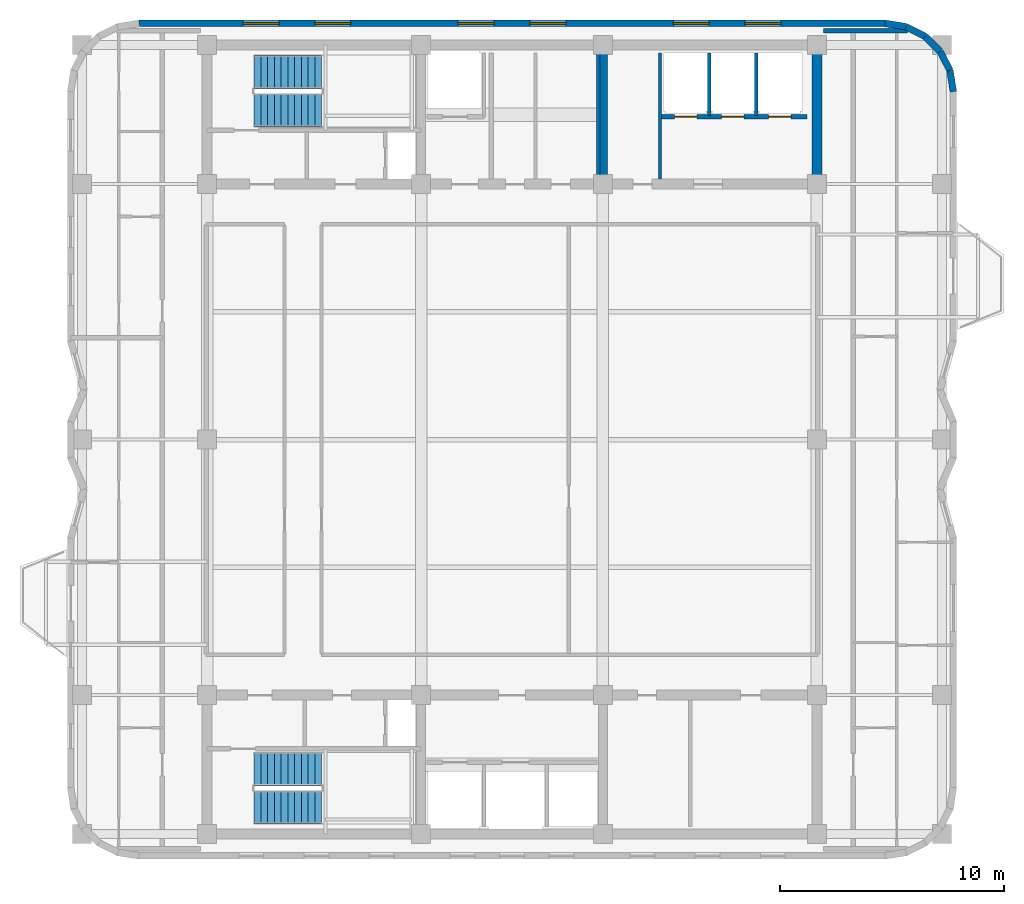
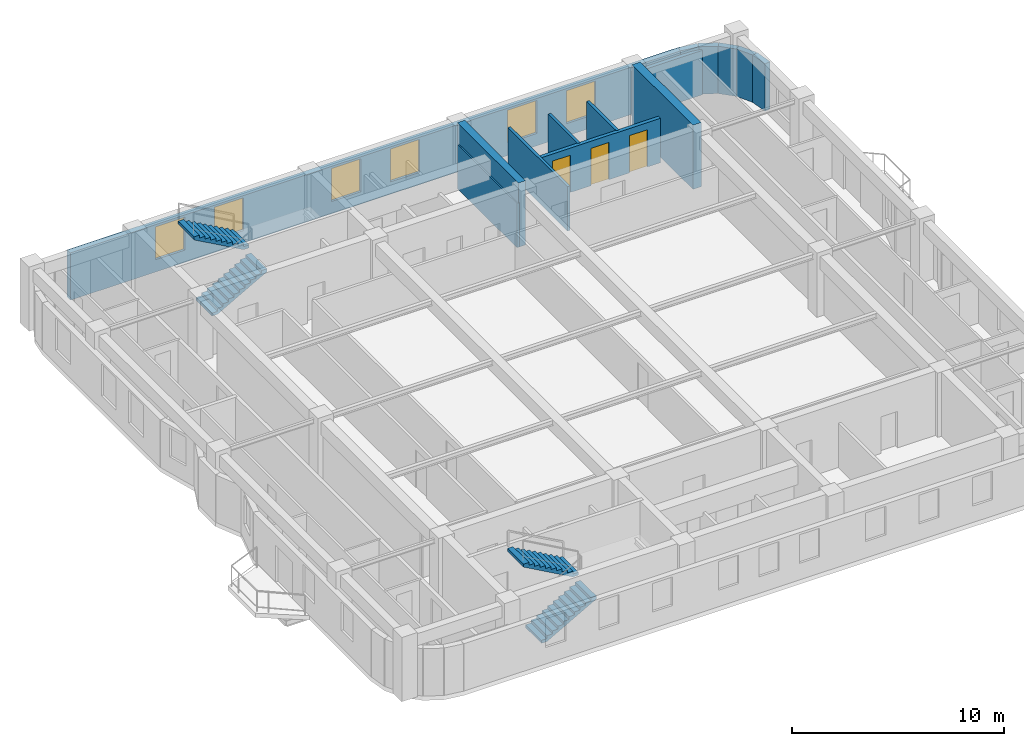
# One storey, part 6 of 8: 14 walls, 6 windows, 4 stair flights, 3 doors, 9 openings, 2 elements without a shape of their own.
"""IFC4 building model written with IfcOpenShell, lengths in metres."""

from ifc_helpers import new_model, si_unit, direction, frame, frame_2d, origin, place, context, subcontext, project, spatial, polyline, rectangle, outline, extrude, material, layer, layer_set, type_object, element, fill, aggregate, save


model = new_model("IFC4")

# Units and contexts
model_context = context("Model", 3, precision=1e-05, world=origin(), true_north=direction((0.0, 1.0)))
body_context = subcontext(model_context, "Body", "Model", "MODEL_VIEW")
ifc_project = project(units=[si_unit("LENGTHUNIT", "METRE"), si_unit("AREAUNIT", "SQUARE_METRE"), si_unit("VOLUMEUNIT", "CUBIC_METRE"), si_unit("PLANEANGLEUNIT", "RADIAN"), si_unit("MASSUNIT", "GRAM", prefix="KILO")], contexts=[model_context])

# Site, building, storey
site_placement = place(None, origin())
site = spatial("IfcSite", under=ifc_project, at=site_placement, CompositionType="ELEMENT")
building_placement = place(site_placement, origin())
building = spatial("IfcBuilding", under=site, at=building_placement, Name="Svetorya Sky Lyceum", CompositionType="ELEMENT")
storey_placement = place(building_placement, frame((0.0, 0.0, 251.699951171875)))
storey = spatial("IfcBuildingStorey", under=building, at=storey_placement, Name="L63", CompositionType="ELEMENT", Elevation=251.699951171875)

# Walls
ifc_material_1 = material(Name="Concrete C40/50", Category="concrete")
ifc_layer_1 = layer(ifc_material_1, 0.39990234375)
ifc_layer_set_1 = layer_set([ifc_layer_1], Name="Concrete C40/50")
wall_type_1 = type_object("IfcWallType", Name="WL-CORE-400", PredefinedType="SHEAR", material=ifc_layer_set_1)
wall_1_placement = place(storey_placement, frame((43.25, 39.824951171875, 0.0), z_axis=(0.0, 0.0, 1.0), x_axis=(0.0, 1.0, 0.0)))
element("IfcWall", 1, at=wall_1_placement, inside=storey, type_object=wall_type_1, Name="L63 NC Internal Shear Web WEB2", PredefinedType="SHEAR", context=body_context, shape_type="SweptSolid", body=[
    extrude(rectangle(XDim=5.75, YDim=0.39990234375, at=frame_2d((2.875, 0.0))), origin(), (0.0, 0.0, 1.0), 3.699951171875),
])
ifc_material_2 = material(Name="Concrete C50/60", Category="concrete")
ifc_layer_2 = layer(ifc_material_2, 0.449951171875)
ifc_layer_set_2 = layer_set([ifc_layer_2], Name="Concrete C50/60")
wall_type_2 = type_object("IfcWallType", Name="WL-CORE-450", PredefinedType="SHEAR", material=ifc_layer_set_2)
wall_2_placement = place(storey_placement, frame((52.800048828125, 39.824951171875, 0.0), z_axis=(0.0, 0.0, 1.0), x_axis=(0.0, 1.0, 0.0)))
element("IfcWall", 2, at=wall_2_placement, inside=storey, type_object=wall_type_2, Name="L63 NC East Core Shear Wall", PredefinedType="SHEAR", context=body_context, shape_type="SweptSolid", body=[
    extrude(rectangle(XDim=5.75, YDim=0.449951171875, at=frame_2d((2.875, 0.0))), origin(), (0.0, 0.0, 1.0), 3.699951171875),
])
ifc_material_3 = material(Name="Putilovo limestone rainscreen on autoclaved cellular masonry", Category="masonry")
ifc_layer_3 = layer(ifc_material_3, 0.300048828125)
ifc_layer_set_3 = layer_set([ifc_layer_3], Name="Putilovo limestone rainscreen on autoclaved cellular masonry")
wall_type_3 = type_object("IfcWallType", Name="WL-EXT-300", PredefinedType="SOLIDWALL", material=ifc_layer_set_3)
wall_3_placement = place(storey_placement, frame((58.889892578125, 43.719970703125, 0.0), z_axis=(0.0, 0.0, 1.0), x_axis=(-0.156304114255, 0.987708977314, 0.0)))
element("IfcWall", 3, at=wall_3_placement, inside=storey, type_object=wall_type_3, Name="L63 Limestone Exterior Wall 19M", PredefinedType="SOLIDWALL", context=body_context, shape_type="SweptSolid", body=[
    extrude(rectangle(XDim=0.954345703125, YDim=0.300048828125, at=frame_2d((0.47705078125, 0.0))), origin(), (0.0, 0.0, 1.0), 2.72998046875),
])
wall_4_placement = place(storey_placement, frame((58.74072265625, 44.66259765625, 0.0), z_axis=(0.0, 0.0, 1.0), x_axis=(-0.45395644796, 0.891023873617, 0.0)))
element("IfcWall", 4, at=wall_4_placement, inside=storey, type_object=wall_type_3, Name="L63 Limestone Exterior Wall 20M", PredefinedType="SOLIDWALL", context=body_context, shape_type="SweptSolid", body=[
    extrude(rectangle(XDim=0.9541015625, YDim=0.300048828125, at=frame_2d((0.47705078125, 0.0))), origin(), (0.0, 0.0, 1.0), 2.72998046875),
])
for number, where, z_axis, x_axis, name in (
    (5, (58.3076171875, 45.5126953125, 0.0), (0.0, 0.0, 1.0), (-0.707106781187, 0.707106781187, 0.0), "L63 Limestone Exterior Wall 21M"),
    (6, (57.6328125, 46.1875, 0.0), (0.0, 0.0, 1.0), (-0.891076589373, 0.453852962833, 0.0), "L63 Limestone Exterior Wall 22M"),
):
    element("IfcWall", number, at=place(storey_placement, frame(where, z_axis=z_axis, x_axis=x_axis)), inside=storey, type_object=wall_type_3, Name=name, PredefinedType="SOLIDWALL", context=body_context, shape_type="SweptSolid", body=[
        extrude(rectangle(XDim=0.954345703125, YDim=0.300048828125, at=frame_2d((0.47705078125, 0.0))), origin(), (0.0, 0.0, 1.0), 2.72998046875),
    ])
wall_5_placement = place(storey_placement, frame((56.782470703125, 46.62060546875, 0.0), z_axis=(0.0, 0.0, 1.0), x_axis=(-0.987663181641, 0.156593229835, 0.0)))
element("IfcWall", 7, at=wall_5_placement, inside=storey, type_object=wall_type_3, Name="L63 Limestone Exterior Wall 23M", PredefinedType="SOLIDWALL", context=body_context, shape_type="SweptSolid", body=[
    extrude(rectangle(XDim=0.9541015625, YDim=0.300048828125, at=frame_2d((0.47705078125, 0.0))), origin(), (0.0, 0.0, 1.0), 2.72998046875),
])

# Wall, openings, windows
wall_6_placement = place(storey_placement, frame((55.840087890625, 46.77001953125, 0.0), z_axis=(0.0, 0.0, 1.0), x_axis=(-1.0, 0.0, 0.0)))
wall_6 = element("IfcWall", 8, at=wall_6_placement, inside=storey, type_object=wall_type_3, Name="L63 Limestone Exterior Wall 24M", PredefinedType="SOLIDWALL", context=body_context, shape_type="SweptSolid", body=[
    extrude(rectangle(XDim=33.280029296875, YDim=0.300048828125, at=frame_2d((16.64013671875, 0.0))), origin(), (0.0, 0.0, 1.0), 2.72998046875),
])
opening_1_placement = place(wall_6_placement, frame((4.64697265625, 0.0, 0.7099609375)))
opening_1 = element("IfcOpeningElement", 9, at=opening_1_placement, cuts=wall_6, Name="Opening W-R4", PredefinedType="OPENING", context=body_context, shape_type="SweptSolid", body=[
    extrude(rectangle(XDim=1.60009765625, YDim=1.89990234375, at=frame_2d((0.800048828125, 0.949951171875))), frame((0.0, 0.159912109375, 0.0), z_axis=(0.0, -1.0, 0.0), x_axis=(1.0, 0.0, 0.0)), (0.0, 0.0, 1.0), 0.320068359375),
])
opening_2_placement = place(wall_6_placement, frame((7.844970703125, 0.0, 0.7099609375)))
opening_2 = element("IfcOpeningElement", 10, at=opening_2_placement, cuts=wall_6, Name="Opening W-R4", PredefinedType="OPENING", context=body_context, shape_type="SweptSolid", body=[
    extrude(rectangle(XDim=1.60009765625, YDim=1.89990234375, at=frame_2d((0.800048828125, 0.949951171875))), frame((0.0, 0.159912109375, 0.0), z_axis=(0.0, -1.0, 0.0), x_axis=(1.0, 0.0, 0.0)), (0.0, 0.0, 1.0), 0.320068359375),
])
opening_3_placement = place(wall_6_placement, frame((14.240966796875, 0.0, 0.7099609375)))
opening_3 = element("IfcOpeningElement", 11, at=opening_3_placement, cuts=wall_6, Name="Opening W-R4", PredefinedType="OPENING", context=body_context, shape_type="SweptSolid", body=[
    extrude(rectangle(XDim=1.60009765625, YDim=1.89990234375, at=frame_2d((0.800048828125, 0.949951171875))), frame((0.0, 0.159912109375, 0.0), z_axis=(0.0, -1.0, 0.0), x_axis=(1.0, 0.0, 0.0)), (0.0, 0.0, 1.0), 0.320068359375),
])
opening_4_placement = place(wall_6_placement, frame((17.43896484375, 0.0, 0.7099609375)))
opening_4 = element("IfcOpeningElement", 12, at=opening_4_placement, cuts=wall_6, Name="Opening W-R4", PredefinedType="OPENING", context=body_context, shape_type="SweptSolid", body=[
    extrude(rectangle(XDim=1.60009765625, YDim=1.89990234375, at=frame_2d((0.800048828125, 0.949951171875))), frame((0.0, 0.159912109375, 0.0), z_axis=(0.0, -1.0, 0.0), x_axis=(1.0, 0.0, 0.0)), (0.0, 0.0, 1.0), 0.320068359375),
])
opening_5_placement = place(wall_6_placement, frame((23.8349609375, 0.0, 0.7099609375)))
opening_5 = element("IfcOpeningElement", 13, at=opening_5_placement, cuts=wall_6, Name="Opening W-R4", PredefinedType="OPENING", context=body_context, shape_type="SweptSolid", body=[
    extrude(rectangle(XDim=1.60009765625, YDim=1.89990234375, at=frame_2d((0.800048828125, 0.949951171875))), frame((0.0, 0.159912109375, 0.0), z_axis=(0.0, -1.0, 0.0), x_axis=(1.0, 0.0, 0.0)), (0.0, 0.0, 1.0), 0.320068359375),
])
opening_6_placement = place(wall_6_placement, frame((27.032958984375, 0.0, 0.7099609375)))
opening_6 = element("IfcOpeningElement", 14, at=opening_6_placement, cuts=wall_6, Name="Opening W-R4", PredefinedType="OPENING", context=body_context, shape_type="SweptSolid", body=[
    extrude(rectangle(XDim=1.60009765625, YDim=1.89990234375, at=frame_2d((0.800048828125, 0.949951171875))), frame((0.0, 0.159912109375, 0.0), z_axis=(0.0, -1.0, 0.0), x_axis=(1.0, 0.0, 0.0)), (0.0, 0.0, 1.0), 0.320068359375),
])
ifc_material_4 = material(Name="Thermally broken aluminium frame with triple low-E glazing", Category="aluminium")
window_type = type_object("IfcWindowType", Name="WN-RES-160", PartitioningType="DOUBLE_PANEL_VERTICAL", PredefinedType="WINDOW", material=ifc_material_4)
window_1_placement = place(opening_1_placement, origin())
window_1 = element("IfcWindow", 15, at=window_1_placement, inside=storey, type_object=window_type, Name="L63 Facade Window W-R4.24M.1", OverallHeight=1.89990234375, OverallWidth=1.60009765625, PartitioningType="SINGLE_PANEL", PredefinedType="WINDOW", context=body_context, shape_type="SweptSolid", body=[
    extrude(rectangle(XDim=1.60009765625, YDim=1.89990234375, at=frame_2d((0.800048828125, 0.949951171875))), frame((0.0, 0.030029296875, 0.0), z_axis=(0.0, -1.0, 0.0), x_axis=(1.0, 0.0, 0.0)), (0.0, 0.0, 1.0), 0.06005859375),
])
fill(opening_1, window_1)
window_2_placement = place(opening_2_placement, origin())
window_2 = element("IfcWindow", 16, at=window_2_placement, inside=storey, type_object=window_type, Name="L63 Facade Window W-R4.24M.2", OverallHeight=1.89990234375, OverallWidth=1.60009765625, PartitioningType="SINGLE_PANEL", PredefinedType="WINDOW", context=body_context, shape_type="SweptSolid", body=[
    extrude(rectangle(XDim=1.60009765625, YDim=1.89990234375, at=frame_2d((0.800048828125, 0.949951171875))), frame((0.0, 0.030029296875, 0.0), z_axis=(0.0, -1.0, 0.0), x_axis=(1.0, 0.0, 0.0)), (0.0, 0.0, 1.0), 0.06005859375),
])
fill(opening_2, window_2)
window_3_placement = place(opening_3_placement, origin())
window_3 = element("IfcWindow", 17, at=window_3_placement, inside=storey, type_object=window_type, Name="L63 Facade Window W-R4.24M.3", OverallHeight=1.89990234375, OverallWidth=1.60009765625, PartitioningType="SINGLE_PANEL", PredefinedType="WINDOW", context=body_context, shape_type="SweptSolid", body=[
    extrude(rectangle(XDim=1.60009765625, YDim=1.89990234375, at=frame_2d((0.800048828125, 0.949951171875))), frame((0.0, 0.030029296875, 0.0), z_axis=(0.0, -1.0, 0.0), x_axis=(1.0, 0.0, 0.0)), (0.0, 0.0, 1.0), 0.06005859375),
])
fill(opening_3, window_3)
window_4_placement = place(opening_4_placement, origin())
window_4 = element("IfcWindow", 18, at=window_4_placement, inside=storey, type_object=window_type, Name="L63 Facade Window W-R4.24M.4", OverallHeight=1.89990234375, OverallWidth=1.60009765625, PartitioningType="SINGLE_PANEL", PredefinedType="WINDOW", context=body_context, shape_type="SweptSolid", body=[
    extrude(rectangle(XDim=1.60009765625, YDim=1.89990234375, at=frame_2d((0.800048828125, 0.949951171875))), frame((0.0, 0.030029296875, 0.0), z_axis=(0.0, -1.0, 0.0), x_axis=(1.0, 0.0, 0.0)), (0.0, 0.0, 1.0), 0.06005859375),
])
fill(opening_4, window_4)
window_5_placement = place(opening_5_placement, origin())
window_5 = element("IfcWindow", 19, at=window_5_placement, inside=storey, type_object=window_type, Name="L63 Facade Window W-R4.24M.5", OverallHeight=1.89990234375, OverallWidth=1.60009765625, PartitioningType="SINGLE_PANEL", PredefinedType="WINDOW", context=body_context, shape_type="SweptSolid", body=[
    extrude(rectangle(XDim=1.60009765625, YDim=1.89990234375, at=frame_2d((0.800048828125, 0.949951171875))), frame((0.0, 0.030029296875, 0.0), z_axis=(0.0, -1.0, 0.0), x_axis=(1.0, 0.0, 0.0)), (0.0, 0.0, 1.0), 0.06005859375),
])
fill(opening_5, window_5)
window_6_placement = place(opening_6_placement, origin())
window_6 = element("IfcWindow", 20, at=window_6_placement, inside=storey, type_object=window_type, Name="L63 Facade Window W-R4.24M.6", OverallHeight=1.89990234375, OverallWidth=1.60009765625, PartitioningType="SINGLE_PANEL", PredefinedType="WINDOW", context=body_context, shape_type="SweptSolid", body=[
    extrude(rectangle(XDim=1.60009765625, YDim=1.89990234375, at=frame_2d((0.800048828125, 0.949951171875))), frame((0.0, 0.030029296875, 0.0), z_axis=(0.0, -1.0, 0.0), x_axis=(1.0, 0.0, 0.0)), (0.0, 0.0, 1.0), 0.06005859375),
])
fill(opening_6, window_6)

# Walls
ifc_material_5 = material(Name="Autoclaved cellular masonry blockwork with acoustic render", Category="masonry")
ifc_layer_4 = layer(ifc_material_5, 0.14990234375)
ifc_layer_set_4 = layer_set([ifc_layer_4], Name="Autoclaved cellular masonry blockwork with acoustic render")
wall_type_4 = type_object("IfcWallType", Name="WL-PART-150", PredefinedType="PARTITIONING", material=ifc_layer_set_4)
for number, where, z_axis, x_axis, name in (
    (21, (43.050048828125, 39.820068359375, 0.0), (0.0, 0.0, 1.0), (0.0, 1.0, 0.0), "L63 Interior Partition NC-FPM-END"),
    (22, (45.800048828125, 39.820068359375, 0.0), (0.0, 0.0, 1.0), (0.0, 1.0, 0.0), "L63 Interior Partition NC-PM3-FULL"),
):
    element("IfcWall", number, at=place(storey_placement, frame(where, z_axis=z_axis, x_axis=x_axis)), inside=storey, type_object=wall_type_4, Name=name, PredefinedType="PARTITIONING", context=body_context, shape_type="SweptSolid", body=[
        extrude(rectangle(XDim=5.6298828125, YDim=0.14990234375, at=frame_2d((2.81494140625, 0.0))), origin(), (0.0, 0.0, 1.0), 2.56005859375),
    ])
for number, where, z_axis, x_axis, name in (
    (23, (48.0, 42.64990234375, 0.0), (0.0, 0.0, 1.0), (0.0, 1.0, 0.0), "L63 Interior Partition NC-PH-D1"),
    (24, (50.10009765625, 42.64990234375, 0.0), (0.0, 0.0, 1.0), (0.0, 1.0, 0.0), "L63 Interior Partition NC-PH-D2"),
):
    element("IfcWall", number, at=place(storey_placement, frame(where, z_axis=z_axis, x_axis=x_axis)), inside=storey, type_object=wall_type_4, Name=name, PredefinedType="PARTITIONING", context=body_context, shape_type="SweptSolid", body=[
        extrude(rectangle(XDim=2.800048828125, YDim=0.14990234375, at=frame_2d((1.39990234375, 0.0))), origin(), (0.0, 0.0, 1.0), 2.56005859375),
    ])

# Wall, openings, doors
ifc_material_6 = material(Name="Autoclaved cellular masonry blockwork with gypsum plaster", Category="masonry")
ifc_layer_5 = layer(ifc_material_6, 0.199951171875)
ifc_layer_set_5 = layer_set([ifc_layer_5], Name="Autoclaved cellular masonry blockwork with gypsum plaster")
wall_type_5 = type_object("IfcWallType", Name="WL-PART-200", PredefinedType="PARTITIONING", material=ifc_layer_set_5)
wall_7_placement = place(storey_placement, frame((52.35009765625, 42.60009765625, 0.0), z_axis=(0.0, 0.0, 1.0), x_axis=(-1.0, 0.0, 0.0)))
wall_7 = element("IfcWall", 25, at=wall_7_placement, inside=storey, type_object=wall_type_5, Name="L63 Interior Partition NC-PHEW", PredefinedType="PARTITIONING", context=body_context, shape_type="SweptSolid", body=[
    extrude(rectangle(XDim=6.5, YDim=0.199951171875, at=frame_2d((3.25, 0.0))), origin(), (0.0, 0.0, 1.0), 2.56005859375),
])
opening_7_placement = place(wall_7_placement, frame((4.89990234375, 0.0, 0.0)))
opening_7 = element("IfcOpeningElement", 26, at=opening_7_placement, cuts=wall_7, Name="Opening LD-P1", PredefinedType="OPENING", context=body_context, shape_type="SweptSolid", body=[
    extrude(rectangle(XDim=1.0, YDim=2.14990234375, at=frame_2d((0.5, 1.074951171875))), frame((0.0, 0.10986328125, 0.0), z_axis=(0.0, -1.0, 0.0), x_axis=(1.0, 0.0, 0.0)), (0.0, 0.0, 1.0), 0.219970703125),
])
opening_8_placement = place(wall_7_placement, frame((2.800048828125, 0.0, 0.0)))
opening_8 = element("IfcOpeningElement", 27, at=opening_8_placement, cuts=wall_7, Name="Opening LD-P1", PredefinedType="OPENING", context=body_context, shape_type="SweptSolid", body=[
    extrude(rectangle(XDim=1.0, YDim=2.14990234375, at=frame_2d((0.5, 1.074951171875))), frame((0.0, 0.10986328125, 0.0), z_axis=(0.0, -1.0, 0.0), x_axis=(1.0, 0.0, 0.0)), (0.0, 0.0, 1.0), 0.219970703125),
])
opening_9_placement = place(wall_7_placement, frame((0.699951171875, 0.0, 0.0)))
opening_9 = element("IfcOpeningElement", 28, at=opening_9_placement, cuts=wall_7, Name="Opening LD-P1", PredefinedType="OPENING", context=body_context, shape_type="SweptSolid", body=[
    extrude(rectangle(XDim=1.0, YDim=2.14990234375, at=frame_2d((0.5, 1.074951171875))), frame((0.0, 0.10986328125, 0.0), z_axis=(0.0, -1.0, 0.0), x_axis=(1.0, 0.0, 0.0)), (0.0, 0.0, 1.0), 0.219970703125),
])
ifc_material_7 = material(Name="Champagne-anodized stainless passenger lift landing door")
door_type = type_object("IfcDoorType", Name="DR-LIFT-1000", OperationType="SLIDING_TO_LEFT", PredefinedType="DOOR", material=ifc_material_7)
door_1_placement = place(opening_7_placement, origin())
door_1 = element("IfcDoor", 29, at=door_1_placement, inside=storey, type_object=door_type, Name="L63 Passenger Lift PH1 Landing Door", OperationType="SLIDING_TO_LEFT", OverallHeight=2.14990234375, OverallWidth=1.0, PredefinedType="DOOR", context=body_context, shape_type="SweptSolid", body=[
    extrude(rectangle(XDim=1.0, YDim=2.14990234375, at=frame_2d((0.5, 1.074951171875))), frame((0.0, 0.02490234375, 0.0), z_axis=(0.0, -1.0, 0.0), x_axis=(1.0, 0.0, 0.0)), (0.0, 0.0, 1.0), 0.050048828125),
])
fill(opening_7, door_1)
door_2_placement = place(opening_8_placement, origin())
door_2 = element("IfcDoor", 30, at=door_2_placement, inside=storey, type_object=door_type, Name="L63 Passenger Lift PH2 Landing Door", OperationType="SLIDING_TO_LEFT", OverallHeight=2.14990234375, OverallWidth=1.0, PredefinedType="DOOR", context=body_context, shape_type="SweptSolid", body=[
    extrude(rectangle(XDim=1.0, YDim=2.14990234375, at=frame_2d((0.5, 1.074951171875))), frame((0.0, 0.02490234375, 0.0), z_axis=(0.0, -1.0, 0.0), x_axis=(1.0, 0.0, 0.0)), (0.0, 0.0, 1.0), 0.050048828125),
])
fill(opening_8, door_2)
door_3_placement = place(opening_9_placement, origin())
door_3 = element("IfcDoor", 31, at=door_3_placement, inside=storey, type_object=door_type, Name="L63 Passenger Lift PH3 Landing Door", OperationType="SLIDING_TO_LEFT", OverallHeight=2.14990234375, OverallWidth=1.0, PredefinedType="DOOR", context=body_context, shape_type="SweptSolid", body=[
    extrude(rectangle(XDim=1.0, YDim=2.14990234375, at=frame_2d((0.5, 1.074951171875))), frame((0.0, 0.02490234375, 0.0), z_axis=(0.0, -1.0, 0.0), x_axis=(1.0, 0.0, 0.0)), (0.0, 0.0, 1.0), 0.050048828125),
])
fill(opening_9, door_3)

# Wall
wall_8_placement = place(storey_placement, frame((53.10009765625, 46.449951171875, 0.0), z_axis=(0.0, 0.0, 1.0), x_axis=(1.0, 0.0, 0.0)))
element("IfcWall", 32, at=wall_8_placement, inside=storey, type_object=wall_type_5, Name="L63 Interior Partition E-CAP-N", PredefinedType="PARTITIONING", context=body_context, shape_type="SweptSolid", body=[
    extrude(rectangle(XDim=3.75390625, YDim=0.199951171875, at=frame_2d((1.876953125, 0.0))), origin(), (0.0, 0.0, 1.0), 2.56005859375),
])

# Stair, stair flights
stair_type_1 = type_object("IfcStairType", Name="STR-ST-N", PredefinedType="HALF_TURN_STAIR", material=ifc_material_1)
stair_1_placement = place(storey_placement, origin())
stair_1 = element("IfcStair", 33, at=stair_1_placement, inside=storey, type_object=stair_type_1, Name="L63 North Core Smoke-Free Exit Stair N3", PredefinedType="HALF_TURN_STAIR")
stair_flight_type_1 = type_object("IfcStairFlightType", Name="SFL-ST-N", PredefinedType="STRAIGHT", material=ifc_material_1)
stair_flight_1_placement = place(storey_placement, frame((27.699951171875, 42.89990234375, 0.0), z_axis=(0.0, 0.0, 1.0), x_axis=(1.0, 0.0, 0.0)))
stair_flight_1 = element("IfcStairFlight", 34, at=stair_flight_1_placement, type_object=stair_flight_type_1, Name="ST-N flight 1", NumberOfRisers=11, NumberOfTreads=10, PredefinedType="STRAIGHT", RiserHeight=0.168181818, TreadLength=0.3, context=body_context, shape_type="SweptSolid", body=[
    extrude(outline(polyline([(0.0, 0.0), (0.0, 0.168212890625), (0.300048828125, 0.168212890625), (0.300048828125, 0.33642578125), (0.60009765625, 0.33642578125), (0.60009765625, 0.504638671875), (0.89990234375, 0.504638671875), (0.89990234375, 0.672607421875), (1.199951171875, 0.672607421875), (1.199951171875, 0.8408203125), (1.5, 0.8408203125), (1.5, 1.009033203125), (1.800048828125, 1.009033203125), (1.800048828125, 1.17724609375), (2.10009765625, 1.17724609375), (2.10009765625, 1.345458984375), (2.39990234375, 1.345458984375), (2.39990234375, 1.513671875), (2.699951171875, 1.513671875), (2.699951171875, 1.681884765625), (3.0, 1.681884765625), (3.0, 1.85009765625), (3.0, 1.510009765625), (0.306640625, 0.0), (0.0, 0.0)])), frame((0.0, 0.75, 0.0), z_axis=(0.0, -1.0, 0.0), x_axis=(1.0, 0.0, 0.0)), (0.0, 0.0, 1.0), 1.5),
])
stair_flight_2_placement = place(storey_placement, frame((30.699951171875, 44.60009765625, 1.85009765625), z_axis=(0.0, 0.0, 1.0), x_axis=(-1.0, 0.0, 0.0)))
stair_flight_2 = element("IfcStairFlight", 35, at=stair_flight_2_placement, type_object=stair_flight_type_1, Name="ST-N flight 2", NumberOfRisers=11, NumberOfTreads=10, PredefinedType="STRAIGHT", RiserHeight=0.168181818, TreadLength=0.3, context=body_context, shape_type="SweptSolid", body=[
    extrude(outline(polyline([(0.0, 0.0), (0.0, 0.168212890625), (0.300048828125, 0.168212890625), (0.300048828125, 0.33642578125), (0.60009765625, 0.33642578125), (0.60009765625, 0.504638671875), (0.89990234375, 0.504638671875), (0.89990234375, 0.672607421875), (1.199951171875, 0.672607421875), (1.199951171875, 0.8408203125), (1.5, 0.8408203125), (1.5, 1.009033203125), (1.800048828125, 1.009033203125), (1.800048828125, 1.17724609375), (2.10009765625, 1.17724609375), (2.10009765625, 1.345458984375), (2.39990234375, 1.345458984375), (2.39990234375, 1.513671875), (2.699951171875, 1.513671875), (2.699951171875, 1.681884765625), (3.0, 1.681884765625), (3.0, 1.85009765625), (3.0, 1.510009765625), (0.306640625, 0.0), (0.0, 0.0)])), frame((0.0, 0.75, 0.0), z_axis=(0.0, -1.0, 0.0), x_axis=(1.0, 0.0, 0.0)), (0.0, 0.0, 1.0), 1.5),
])
aggregate(stair_1, [stair_flight_1, stair_flight_2])

stair_type_2 = type_object("IfcStairType", Name="STR-ST-S", PredefinedType="HALF_TURN_STAIR", material=ifc_material_1)
stair_2_placement = place(storey_placement, origin())
stair_2 = element("IfcStair", 36, at=stair_2_placement, inside=storey, type_object=stair_type_2, Name="L63 South Core Smoke-Free Exit Stair N2", PredefinedType="HALF_TURN_STAIR")
stair_flight_type_2 = type_object("IfcStairFlightType", Name="SFL-ST-S", PredefinedType="STRAIGHT", material=ifc_material_1)
stair_flight_3_placement = place(storey_placement, frame((27.699951171875, 11.800048828125, 0.0), z_axis=(0.0, 0.0, 1.0), x_axis=(1.0, 0.0, 0.0)))
stair_flight_3 = element("IfcStairFlight", 37, at=stair_flight_3_placement, type_object=stair_flight_type_2, Name="ST-S flight 1", NumberOfRisers=11, NumberOfTreads=10, PredefinedType="STRAIGHT", RiserHeight=0.168181818, TreadLength=0.3, context=body_context, shape_type="SweptSolid", body=[
    extrude(outline(polyline([(0.0, 0.0), (0.0, 0.168212890625), (0.300048828125, 0.168212890625), (0.300048828125, 0.33642578125), (0.60009765625, 0.33642578125), (0.60009765625, 0.504638671875), (0.89990234375, 0.504638671875), (0.89990234375, 0.672607421875), (1.199951171875, 0.672607421875), (1.199951171875, 0.8408203125), (1.5, 0.8408203125), (1.5, 1.009033203125), (1.800048828125, 1.009033203125), (1.800048828125, 1.17724609375), (2.10009765625, 1.17724609375), (2.10009765625, 1.345458984375), (2.39990234375, 1.345458984375), (2.39990234375, 1.513671875), (2.699951171875, 1.513671875), (2.699951171875, 1.681884765625), (3.0, 1.681884765625), (3.0, 1.85009765625), (3.0, 1.510009765625), (0.306640625, 0.0), (0.0, 0.0)])), frame((0.0, 0.75, 0.0), z_axis=(0.0, -1.0, 0.0), x_axis=(1.0, 0.0, 0.0)), (0.0, 0.0, 1.0), 1.5),
])
stair_flight_4_placement = place(storey_placement, frame((30.699951171875, 13.5, 1.85009765625), z_axis=(0.0, 0.0, 1.0), x_axis=(-1.0, 0.0, 0.0)))
stair_flight_4 = element("IfcStairFlight", 38, at=stair_flight_4_placement, type_object=stair_flight_type_2, Name="ST-S flight 2", NumberOfRisers=11, NumberOfTreads=10, PredefinedType="STRAIGHT", RiserHeight=0.168181818, TreadLength=0.3, context=body_context, shape_type="SweptSolid", body=[
    extrude(outline(polyline([(0.0, 0.0), (0.0, 0.168212890625), (0.300048828125, 0.168212890625), (0.300048828125, 0.33642578125), (0.60009765625, 0.33642578125), (0.60009765625, 0.504638671875), (0.89990234375, 0.504638671875), (0.89990234375, 0.672607421875), (1.199951171875, 0.672607421875), (1.199951171875, 0.8408203125), (1.5, 0.8408203125), (1.5, 1.009033203125), (1.800048828125, 1.009033203125), (1.800048828125, 1.17724609375), (2.10009765625, 1.17724609375), (2.10009765625, 1.345458984375), (2.39990234375, 1.345458984375), (2.39990234375, 1.513671875), (2.699951171875, 1.513671875), (2.699951171875, 1.681884765625), (3.0, 1.681884765625), (3.0, 1.85009765625), (3.0, 1.510009765625), (0.306640625, 0.0), (0.0, 0.0)])), frame((0.0, 0.75, 0.0), z_axis=(0.0, -1.0, 0.0), x_axis=(1.0, 0.0, 0.0)), (0.0, 0.0, 1.0), 1.5),
])
aggregate(stair_2, [stair_flight_3, stair_flight_4])

save(model, "model.ifc")
